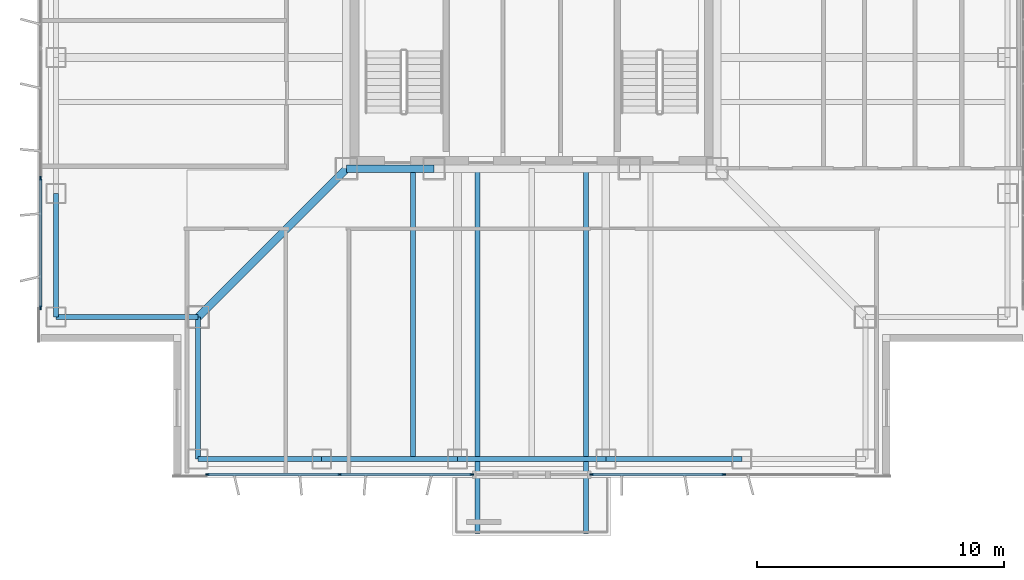
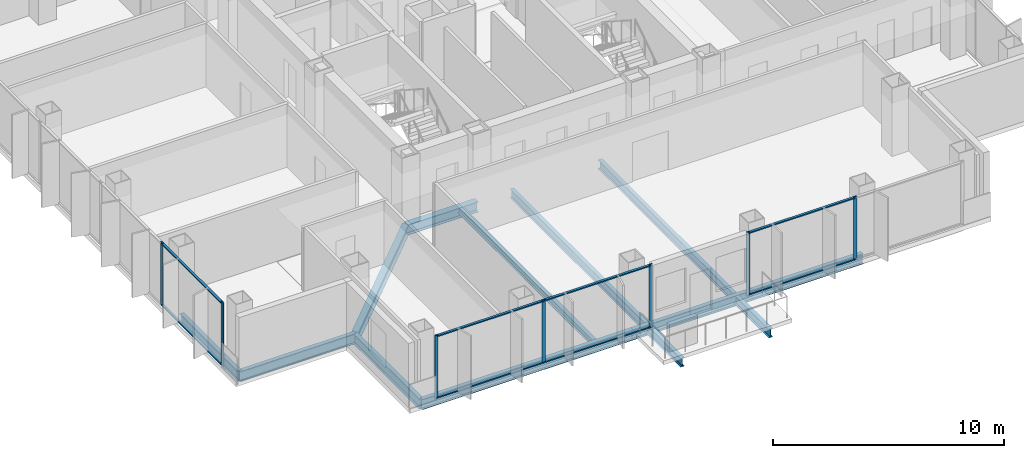
# One storey, part 2 of 13: 15 members, 12 beams, 3 elements without a shape of their own.
"""IFC4 building model written with IfcOpenShell, lengths in metres."""

from ifc_helpers import new_model, si_unit, direction, frame, origin, origin_2d, place, context, subcontext, project, spatial, rectangle, i_section, extrude, material, layer, layer_set, material_profile, profile_set, type_object, element, aggregate, save


model = new_model("IFC4")

# Units and contexts
model_context = context("Model", 3, precision=1e-05, world=origin(), true_north=direction((0.0, 1.0)))
body_context = subcontext(model_context, "Body", "Model", "MODEL_VIEW")
ifc_project = project(units=[si_unit("LENGTHUNIT", "METRE"), si_unit("AREAUNIT", "SQUARE_METRE"), si_unit("VOLUMEUNIT", "CUBIC_METRE"), si_unit("PLANEANGLEUNIT", "RADIAN"), si_unit("MASSUNIT", "GRAM", prefix="KILO")], contexts=[model_context])

# Site, building, storey
site_placement = place(None, origin())
site = spatial("IfcSite", under=ifc_project, at=site_placement, CompositionType="ELEMENT")
building_placement = place(site_placement, origin())
building = spatial("IfcBuilding", under=site, at=building_placement, Name="Trevonay Congress Spire", CompositionType="ELEMENT")
storey_placement = place(building_placement, frame((0.0, 0.0, 205.800048828125)))
storey = spatial("IfcBuildingStorey", under=building, at=storey_placement, Name="L53", CompositionType="ELEMENT", Elevation=205.800048828125)

# Beams
ifc_material_1 = material(Name="Steel ASTM A572 Grade 50", Category="steel")
ifc_material_profile_1 = material_profile(ifc_material_1, i_section(OverallWidth=0.194091796875, OverallDepth=0.468994140625, WebThickness=0.011474609375, FlangeThickness=0.01953125, FilletRadius=0.013916015625, at=origin_2d()), Name="W460x106")
ifc_profile_set_1 = profile_set([ifc_material_profile_1], Name="Steel ASTM A572 Grade 50")
beam_type_1 = type_object("IfcBeamType", Name="BM-BAL-LOOKOUT", PredefinedType="BEAM", material=ifc_profile_set_1)
for number, where, z_axis, x_axis, name in (
    (1, (-2.199951171875, -7.5, -0.474609375), (0.0, -1.0, 0.0), (1.0, 0.0, 0.0), "L53 structural beam LKT-L53-S1"),
    (2, (2.199951171875, -7.5, -0.474609375), (0.0, -1.0, 0.0), (1.0, 0.0, 0.0), "L53 structural beam LKT-L53-S2"),
):
    element("IfcBeam", number, at=place(storey_placement, frame(where, z_axis=z_axis, x_axis=x_axis)), inside=storey, type_object=beam_type_1, Name=name, PredefinedType="BEAM", context=body_context, shape_type="SweptSolid", body=[
        extrude(i_section(OverallWidth=0.194091796875, OverallDepth=0.468994140625, WebThickness=0.011474609375, FlangeThickness=0.01953125, FilletRadius=0.013916015625, at=origin_2d()), origin(), (0.0, 0.0, 1.0), 14.75),
    ])
ifc_material_profile_2 = material_profile(ifc_material_1, i_section(OverallWidth=0.31201171875, OverallDepth=0.54296875, WebThickness=0.0126953125, FlangeThickness=0.020263671875, FilletRadius=0.014892578125, at=origin_2d()), Name="W530x150")
ifc_profile_set_2 = profile_set([ifc_material_profile_2], Name="Steel ASTM A572 Grade 50")
beam_type_2 = type_object("IfcBeamType", Name="BM-GIRD-W530X150", PredefinedType="BEAM", material=ifc_profile_set_2)
beam_1_placement = place(storey_placement, frame((-7.5, -7.5, -0.511474609375), z_axis=(1.0, 0.0, 0.0), x_axis=(0.0, 1.0, 0.0)))
element("IfcBeam", 3, at=beam_1_placement, inside=storey, type_object=beam_type_2, Name="L53 structural beam BM-L53-CR-S1", PredefinedType="BEAM", context=body_context, shape_type="SweptSolid", body=[
    extrude(i_section(OverallWidth=0.31201171875, OverallDepth=0.54296875, WebThickness=0.0126953125, FlangeThickness=0.020263671875, FilletRadius=0.014892578125, at=origin_2d()), origin(), (0.0, 0.0, 1.0), 3.550048828125),
])
beam_2_placement = place(storey_placement, frame((-7.5, -7.5, -0.511474609375), z_axis=(-0.707106781187, -0.707106781187, 0.0), x_axis=(0.707106781187, -0.707106781187, 0.0)))
element("IfcBeam", 4, at=beam_2_placement, inside=storey, type_object=beam_type_2, Name="L53 structural beam BM-L53-CDSW", PredefinedType="BEAM", context=body_context, shape_type="SweptSolid", body=[
    extrude(i_section(OverallWidth=0.31201171875, OverallDepth=0.54296875, WebThickness=0.0126953125, FlangeThickness=0.020263671875, FilletRadius=0.014892578125, at=origin_2d()), origin(), (0.0, 0.0, 1.0), 8.4853515625),
])
ifc_material_profile_3 = material_profile(ifc_material_1, i_section(OverallWidth=0.2119140625, OverallDepth=0.5439453125, WebThickness=0.01318359375, FlangeThickness=0.021240234375, FilletRadius=0.014892578125, at=origin_2d()), Name="W530x123")
ifc_profile_set_3 = profile_set([ifc_material_profile_3], Name="Steel ASTM A572 Grade 50")
beam_type_3 = type_object("IfcBeamType", Name="BM-RING-W530X123", PredefinedType="BEAM", material=ifc_profile_set_3)
for number, where, z_axis, x_axis, name in (
    (5, (-13.5, -19.25, -0.511962890625), (1.0, 0.0, 0.0), (0.0, 1.0, 0.0), "L53 structural beam BM-L53-PS1"),
    (6, (-19.25, -13.5, -0.511962890625), (0.0, 1.0, 0.0), (-1.0, 0.0, 0.0), "L53 structural beam BM-L53-PW1"),
):
    element("IfcBeam", number, at=place(storey_placement, frame(where, z_axis=z_axis, x_axis=x_axis)), inside=storey, type_object=beam_type_3, Name=name, PredefinedType="BEAM", context=body_context, shape_type="SweptSolid", body=[
        extrude(i_section(OverallWidth=0.2119140625, OverallDepth=0.5439453125, WebThickness=0.01318359375, FlangeThickness=0.021240234375, FilletRadius=0.014892578125, at=origin_2d()), origin(), (0.0, 0.0, 1.0), 5.0),
    ])
beam_3_placement = place(storey_placement, frame((-8.5, -19.25, -0.511962890625), z_axis=(1.0, 0.0, 0.0), x_axis=(0.0, 1.0, 0.0)))
element("IfcBeam", 7, at=beam_3_placement, inside=storey, type_object=beam_type_3, Name="L53 structural beam BM-L53-PS2", PredefinedType="BEAM", context=body_context, shape_type="SweptSolid", body=[
    extrude(i_section(OverallWidth=0.2119140625, OverallDepth=0.5439453125, WebThickness=0.01318359375, FlangeThickness=0.021240234375, FilletRadius=0.014892578125, at=origin_2d()), origin(), (0.0, 0.0, 1.0), 5.5),
])
beam_4_placement = place(storey_placement, frame((-3.0, -19.25, -0.511962890625), z_axis=(1.0, 0.0, 0.0), x_axis=(0.0, 1.0, 0.0)))
element("IfcBeam", 8, at=beam_4_placement, inside=storey, type_object=beam_type_3, Name="L53 structural beam BM-L53-PS3", PredefinedType="BEAM", context=body_context, shape_type="SweptSolid", body=[
    extrude(i_section(OverallWidth=0.2119140625, OverallDepth=0.5439453125, WebThickness=0.01318359375, FlangeThickness=0.021240234375, FilletRadius=0.014892578125, at=origin_2d()), origin(), (0.0, 0.0, 1.0), 6.0),
])
beam_5_placement = place(storey_placement, frame((3.0, -19.25, -0.511962890625), z_axis=(1.0, 0.0, 0.0), x_axis=(0.0, 1.0, 0.0)))
element("IfcBeam", 9, at=beam_5_placement, inside=storey, type_object=beam_type_3, Name="L53 structural beam BM-L53-PS4", PredefinedType="BEAM", context=body_context, shape_type="SweptSolid", body=[
    extrude(i_section(OverallWidth=0.2119140625, OverallDepth=0.5439453125, WebThickness=0.01318359375, FlangeThickness=0.021240234375, FilletRadius=0.014892578125, at=origin_2d()), origin(), (0.0, 0.0, 1.0), 5.5),
])
for number, where, z_axis, x_axis, name in (
    (10, (-13.5, -19.25, -0.511962890625), (0.0, 1.0, 0.0), (-1.0, 0.0, 0.0), "L53 structural beam BM-L53-N1SW"),
    (11, (-19.25, -13.5, -0.511962890625), (1.0, 0.0, 0.0), (0.0, 1.0, 0.0), "L53 structural beam BM-L53-N2SW"),
):
    element("IfcBeam", number, at=place(storey_placement, frame(where, z_axis=z_axis, x_axis=x_axis)), inside=storey, type_object=beam_type_3, Name=name, PredefinedType="BEAM", context=body_context, shape_type="SweptSolid", body=[
        extrude(i_section(OverallWidth=0.2119140625, OverallDepth=0.5439453125, WebThickness=0.01318359375, FlangeThickness=0.021240234375, FilletRadius=0.014892578125, at=origin_2d()), origin(), (0.0, 0.0, 1.0), 5.75),
    ])

# Curtain wall, members
ifc_material_2 = material(Name="Pale Anodised Aluminium EN AW-6063-T6", Category="aluminium")
ifc_layer = layer(ifc_material_2, 0.169921875, Name="Pale Anodised Aluminium EN AW-6063-T6")
ifc_layer_set = layer_set([ifc_layer], Name="Pale Anodised Aluminium EN AW-6063-T6")
curtain_wall_type = type_object("IfcCurtainWallType", Name="CW-SYS04-CORP-PALE-METAL", PredefinedType="NOTDEFINED", material=ifc_layer_set)
curtain_wall_1_placement = place(storey_placement, origin())
curtain_wall_1 = element("IfcCurtainWall", 12, at=curtain_wall_1_placement, inside=storey, type_object=curtain_wall_type, Name="L53 SA unitised curtain wall", PredefinedType="NOTDEFINED")
ifc_material_profile_4 = material_profile(ifc_material_2, rectangle(XDim=0.06005859375, YDim=0.159912109375, at=origin_2d()), Name="CW-MULLION-160-ALUMINIUM")
ifc_profile_set_4 = profile_set([ifc_material_profile_4], Name="Pale Anodised Aluminium EN AW-6063-T6")
member_type_1 = type_object("IfcMemberType", Name="CW-MULLION-160-ALUMINIUM", PredefinedType="MULLION", material=ifc_profile_set_4)
member_1_placement = place(storey_placement, frame((-13.1201171875, -19.8798828125, 0.0), z_axis=(0.0, 0.0, 1.0), x_axis=(0.0, 1.0, 0.0)))
member_1 = element("IfcMember", 13, at=member_1_placement, type_object=member_type_1, Name="CW04 mullion 1", PredefinedType="MULLION", context=body_context, shape_type="SweptSolid", body=[
    extrude(rectangle(XDim=0.06005859375, YDim=0.159912109375, at=origin_2d()), origin(), (0.0, 0.0, 1.0), 3.35986328125),
])
member_2_placement = place(storey_placement, frame((-7.77490234375, -19.8798828125, 0.0), z_axis=(0.0, 0.0, 1.0), x_axis=(0.0, 1.0, 0.0)))
member_2 = element("IfcMember", 14, at=member_2_placement, type_object=member_type_1, Name="CW04 mullion 2", PredefinedType="MULLION", context=body_context, shape_type="SweptSolid", body=[
    extrude(rectangle(XDim=0.06005859375, YDim=0.159912109375, at=origin_2d()), origin(), (0.0, 0.0, 1.0), 3.35986328125),
])
member_3_placement = place(storey_placement, frame((-2.429931640625, -19.8798828125, 0.0), z_axis=(0.0, 0.0, 1.0), x_axis=(0.0, 1.0, 0.0)))
member_3 = element("IfcMember", 15, at=member_3_placement, type_object=member_type_1, Name="CW04 mullion 3", PredefinedType="MULLION", context=body_context, shape_type="SweptSolid", body=[
    extrude(rectangle(XDim=0.06005859375, YDim=0.159912109375, at=origin_2d()), origin(), (0.0, 0.0, 1.0), 3.35986328125),
])

curtain_wall_2_placement = place(storey_placement, origin())
curtain_wall_2 = element("IfcCurtainWall", 16, at=curtain_wall_2_placement, inside=storey, type_object=curtain_wall_type, Name="L53 SB unitised curtain wall", PredefinedType="NOTDEFINED")
member_4_placement = place(storey_placement, frame((2.429931640625, -19.8798828125, 0.0), z_axis=(0.0, 0.0, 1.0), x_axis=(0.0, 1.0, 0.0)))
member_4 = element("IfcMember", 17, at=member_4_placement, type_object=member_type_1, Name="CW04 mullion 1", PredefinedType="MULLION", context=body_context, shape_type="SweptSolid", body=[
    extrude(rectangle(XDim=0.06005859375, YDim=0.159912109375, at=origin_2d()), origin(), (0.0, 0.0, 1.0), 3.35986328125),
])
member_5_placement = place(storey_placement, frame((7.77490234375, -19.8798828125, 0.0), z_axis=(0.0, 0.0, 1.0), x_axis=(0.0, 1.0, 0.0)))
member_5 = element("IfcMember", 18, at=member_5_placement, type_object=member_type_1, Name="CW04 mullion 2", PredefinedType="MULLION", context=body_context, shape_type="SweptSolid", body=[
    extrude(rectangle(XDim=0.06005859375, YDim=0.159912109375, at=origin_2d()), origin(), (0.0, 0.0, 1.0), 3.35986328125),
])

curtain_wall_3_placement = place(storey_placement, origin())
curtain_wall_3 = element("IfcCurtainWall", 19, at=curtain_wall_3_placement, inside=storey, type_object=curtain_wall_type, Name="L53 W unitised curtain wall", PredefinedType="NOTDEFINED")
member_6_placement = place(storey_placement, frame((-19.8798828125, -13.1201171875, 0.0), z_axis=(0.0, 0.0, 1.0), x_axis=(-1.0, 0.0, 0.0)))
member_6 = element("IfcMember", 20, at=member_6_placement, type_object=member_type_1, Name="CW04 mullion 1", PredefinedType="MULLION", context=body_context, shape_type="SweptSolid", body=[
    extrude(rectangle(XDim=0.06005859375, YDim=0.159912109375, at=origin_2d()), origin(), (0.0, 0.0, 1.0), 3.35986328125),
])
member_7_placement = place(storey_placement, frame((-19.8798828125, -7.889892578125, 0.0), z_axis=(0.0, 0.0, 1.0), x_axis=(-1.0, 0.0, 0.0)))
member_7 = element("IfcMember", 21, at=member_7_placement, type_object=member_type_1, Name="CW04 mullion 2", PredefinedType="MULLION", context=body_context, shape_type="SweptSolid", body=[
    extrude(rectangle(XDim=0.06005859375, YDim=0.159912109375, at=origin_2d()), origin(), (0.0, 0.0, 1.0), 3.35986328125),
])

# Member
ifc_material_profile_5 = material_profile(ifc_material_2, rectangle(XDim=0.1201171875, YDim=0.06005859375, at=origin_2d()), Name="CW-TRANSOM-120-ALUMINIUM")
ifc_profile_set_5 = profile_set([ifc_material_profile_5], Name="Pale Anodised Aluminium EN AW-6063-T6")
member_type_2 = type_object("IfcMemberType", Name="CW-TRANSOM-120-ALUMINIUM", PredefinedType="USERDEFINED", material=ifc_profile_set_5)
member_8_placement = place(storey_placement, frame((-13.090087890625, -19.8798828125, 0.06005859375), z_axis=(1.0, 0.0, 0.0), x_axis=(0.0, 1.0, 0.0)))
member_8 = element("IfcMember", 22, at=member_8_placement, type_object=member_type_2, Name="CW04 transom 1.1", ObjectType="TRANSOM", PredefinedType="USERDEFINED", context=body_context, shape_type="SweptSolid", body=[
    extrude(rectangle(XDim=0.1201171875, YDim=0.06005859375, at=origin_2d()), origin(), (0.0, 0.0, 1.0), 5.28515625),
])

member_9_placement = place(storey_placement, frame((-13.090087890625, -19.8798828125, 3.300048828125), z_axis=(1.0, 0.0, 0.0), x_axis=(0.0, 1.0, 0.0)))
member_9 = element("IfcMember", 23, at=member_9_placement, type_object=member_type_2, Name="CW04 transom 1.2", ObjectType="TRANSOM", PredefinedType="USERDEFINED", context=body_context, shape_type="SweptSolid", body=[
    extrude(rectangle(XDim=0.1201171875, YDim=0.06005859375, at=origin_2d()), origin(), (0.0, 0.0, 1.0), 5.28515625),
])

member_10_placement = place(storey_placement, frame((-7.7451171875, -19.8798828125, 0.06005859375), z_axis=(1.0, 0.0, 0.0), x_axis=(0.0, 1.0, 0.0)))
member_10 = element("IfcMember", 24, at=member_10_placement, type_object=member_type_2, Name="CW04 transom 2.1", ObjectType="TRANSOM", PredefinedType="USERDEFINED", context=body_context, shape_type="SweptSolid", body=[
    extrude(rectangle(XDim=0.1201171875, YDim=0.06005859375, at=origin_2d()), origin(), (0.0, 0.0, 1.0), 5.28515625),
])

member_11_placement = place(storey_placement, frame((-7.7451171875, -19.8798828125, 3.300048828125), z_axis=(1.0, 0.0, 0.0), x_axis=(0.0, 1.0, 0.0)))
member_11 = element("IfcMember", 25, at=member_11_placement, type_object=member_type_2, Name="CW04 transom 2.2", ObjectType="TRANSOM", PredefinedType="USERDEFINED", context=body_context, shape_type="SweptSolid", body=[
    extrude(rectangle(XDim=0.1201171875, YDim=0.06005859375, at=origin_2d()), origin(), (0.0, 0.0, 1.0), 5.28515625),
])

aggregate(curtain_wall_1, [member_1, member_2, member_3, member_8, member_9, member_10, member_11])

member_12_placement = place(storey_placement, frame((2.4599609375, -19.8798828125, 0.06005859375), z_axis=(1.0, 0.0, 0.0), x_axis=(0.0, 1.0, 0.0)))
member_12 = element("IfcMember", 26, at=member_12_placement, type_object=member_type_2, Name="CW04 transom 1.1", ObjectType="TRANSOM", PredefinedType="USERDEFINED", context=body_context, shape_type="SweptSolid", body=[
    extrude(rectangle(XDim=0.1201171875, YDim=0.06005859375, at=origin_2d()), origin(), (0.0, 0.0, 1.0), 5.28515625),
])

member_13_placement = place(storey_placement, frame((2.4599609375, -19.8798828125, 3.300048828125), z_axis=(1.0, 0.0, 0.0), x_axis=(0.0, 1.0, 0.0)))
member_13 = element("IfcMember", 27, at=member_13_placement, type_object=member_type_2, Name="CW04 transom 1.2", ObjectType="TRANSOM", PredefinedType="USERDEFINED", context=body_context, shape_type="SweptSolid", body=[
    extrude(rectangle(XDim=0.1201171875, YDim=0.06005859375, at=origin_2d()), origin(), (0.0, 0.0, 1.0), 5.28515625),
])

aggregate(curtain_wall_2, [member_4, member_5, member_12, member_13])

member_14_placement = place(storey_placement, frame((-19.8798828125, -13.090087890625, 0.06005859375), z_axis=(0.0, 1.0, 0.0), x_axis=(-1.0, 0.0, 0.0)))
member_14 = element("IfcMember", 28, at=member_14_placement, type_object=member_type_2, Name="CW04 transom 1.1", ObjectType="TRANSOM", PredefinedType="USERDEFINED", context=body_context, shape_type="SweptSolid", body=[
    extrude(rectangle(XDim=0.1201171875, YDim=0.06005859375, at=origin_2d()), origin(), (0.0, 0.0, 1.0), 5.170166015625),
])

member_15_placement = place(storey_placement, frame((-19.8798828125, -13.090087890625, 3.300048828125), z_axis=(0.0, 1.0, 0.0), x_axis=(-1.0, 0.0, 0.0)))
member_15 = element("IfcMember", 29, at=member_15_placement, type_object=member_type_2, Name="CW04 transom 1.2", ObjectType="TRANSOM", PredefinedType="USERDEFINED", context=body_context, shape_type="SweptSolid", body=[
    extrude(rectangle(XDim=0.1201171875, YDim=0.06005859375, at=origin_2d()), origin(), (0.0, 0.0, 1.0), 5.170166015625),
])

aggregate(curtain_wall_3, [member_6, member_7, member_14, member_15])

# Beam
ifc_material_profile_6 = material_profile(ifc_material_1, i_section(OverallWidth=0.205078125, OverallDepth=0.35400390625, WebThickness=0.009521484375, FlangeThickness=0.016845703125, FilletRadius=0.011962890625, at=origin_2d()), Name="W360x79")
ifc_profile_set_6 = profile_set([ifc_material_profile_6], Name="Steel ASTM A572 Grade 50")
beam_type_4 = type_object("IfcBeamType", Name="JS-COMP-W360X79", PredefinedType="JOIST", material=ifc_profile_set_6)
beam_6_placement = place(storey_placement, frame((-4.800048828125, -19.25, -0.4169921875), z_axis=(0.0, 1.0, 0.0), x_axis=(-1.0, 0.0, 0.0)))
element("IfcBeam", 30, at=beam_6_placement, inside=storey, type_object=beam_type_4, Name="L53 structural beam JS-L53-NS-S1", PredefinedType="JOIST", context=body_context, shape_type="SweptSolid", body=[
    extrude(i_section(OverallWidth=0.205078125, OverallDepth=0.35400390625, WebThickness=0.009521484375, FlangeThickness=0.016845703125, FilletRadius=0.011962890625, at=origin_2d()), origin(), (0.0, 0.0, 1.0), 11.75),
])

save(model, "model.ifc")
